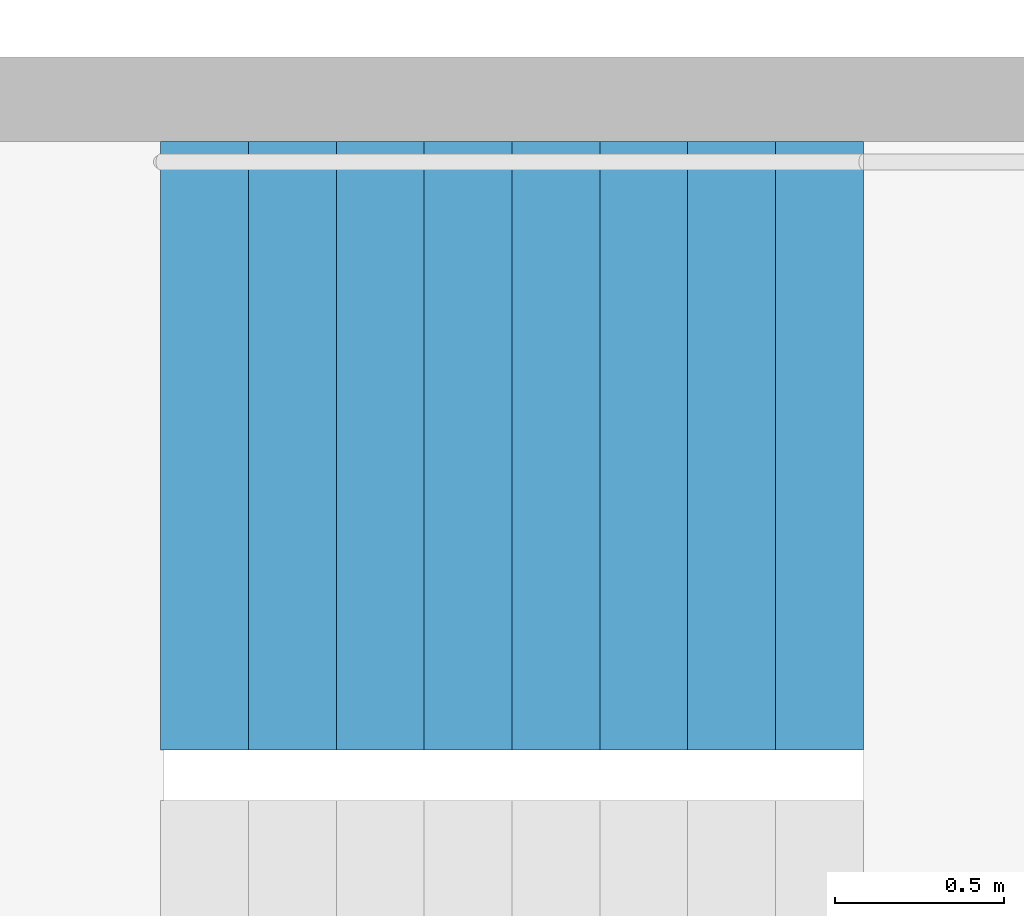
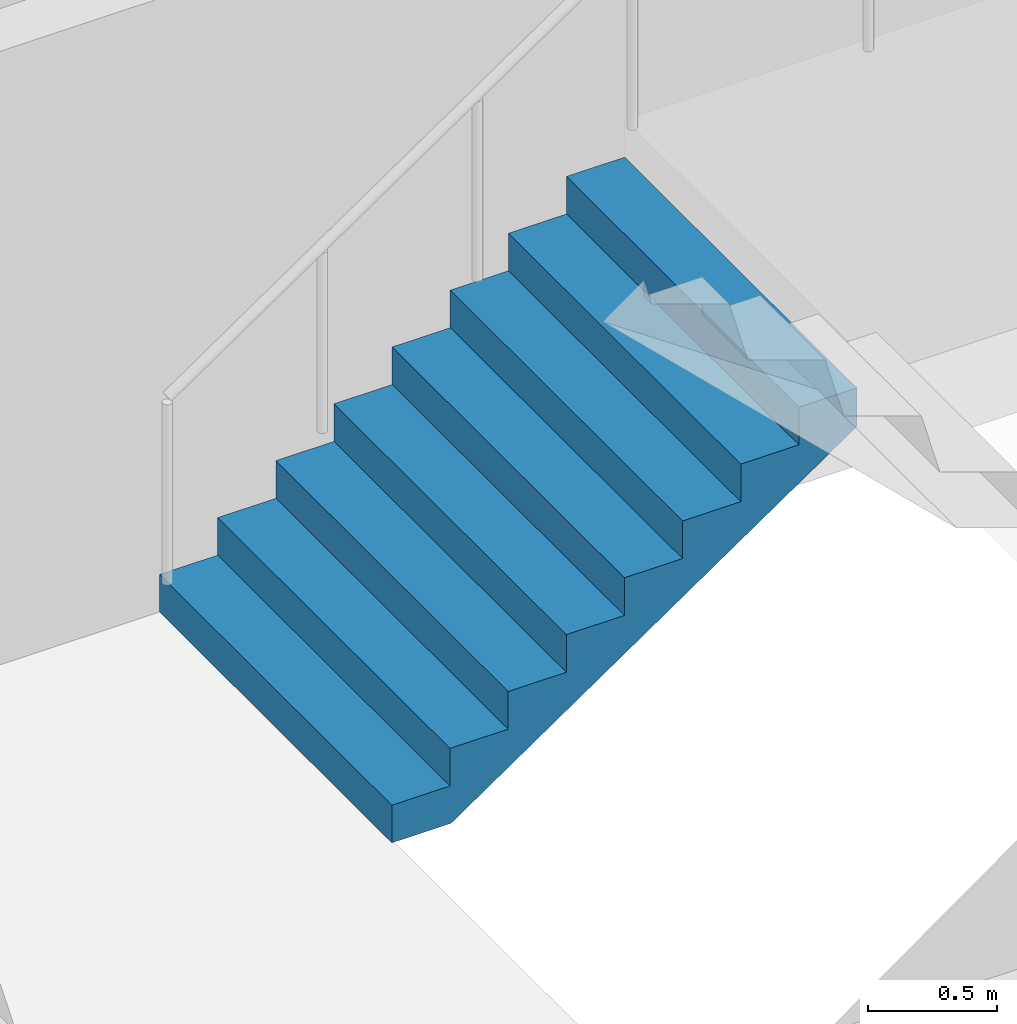
# One storey, part 26 of 29: 1 stair flight, 1 element without a shape of its own.
"""IFC4 building model written with IfcOpenShell, lengths in metres."""

from ifc_helpers import new_model, si_unit, direction, frame, origin, place, context, subcontext, project, spatial, triangles, material, type_object, element, aggregate, save


model = new_model("IFC4")

# Units and contexts
model_context = context("Model", 3, precision=1e-05, world=origin(), true_north=direction((0.0, 1.0)))
body_context = subcontext(model_context, "Body", "Model", "MODEL_VIEW")
ifc_project = project(units=[si_unit("LENGTHUNIT", "METRE"), si_unit("AREAUNIT", "SQUARE_METRE"), si_unit("VOLUMEUNIT", "CUBIC_METRE"), si_unit("PLANEANGLEUNIT", "RADIAN"), si_unit("MASSUNIT", "GRAM", prefix="KILO")], contexts=[model_context])

# Site, building, storey
site_placement = place(None, origin())
site = spatial("IfcSite", under=ifc_project, at=site_placement, CompositionType="ELEMENT")
building_placement = place(site_placement, origin())
building = spatial("IfcBuilding", under=site, at=building_placement, Name="Hakoniwa Tower and Hamabe Station Hall", CompositionType="ELEMENT")
storey_placement = place(building_placement, frame((0.0, 0.0, 61.39990234375)))
storey = spatial("IfcBuildingStorey", under=building, at=storey_placement, Name="L17", CompositionType="ELEMENT", Elevation=61.39990234375)

# Stair, stair flight
ifc_material_1 = material(Name="Concrete C40", Category="concrete")
stair_type = type_object("IfcStairType", Name="ESCAPE STAIR 1800", PredefinedType="HALF_TURN_STAIR", material=ifc_material_1)
stair_placement = place(storey_placement, origin())
stair = element("IfcStair", 1, at=stair_placement, inside=storey, type_object=stair_type, Name="Escape stair ST-4 L17", PredefinedType="HALF_TURN_STAIR")
ifc_material_2 = material(Name="Concrete C40", Category="concrete")
stair_flight_type = type_object("IfcStairFlightType", Name="STAIR FLIGHT 1800", PredefinedType="STRAIGHT", material=ifc_material_2)
stair_flight_placement = place(storey_placement, frame((23.39990234375, -4.64990234375, 0.0), z_axis=(0.0, 0.0, 1.0), x_axis=(1.0, 0.0, 0.0)))
stair_flight = element("IfcStairFlight", 2, at=stair_flight_placement, type_object=stair_flight_type, Name="ST-4 flight 1", NumberOfRisers=9, NumberOfTreads=8, PredefinedType="STRAIGHT", RiserHeight=0.177777778, TreadLength=0.26, context=body_context, shape_type="Tessellation", body=[
    triangles([(0.0, 0.89990234375, 0.0), (0.260009765625, 0.89990234375, 0.0), (0.265625, 0.89990234375, 0.0), (0.52001953125, 0.89990234375, 0.174072265625), (0.780029296875, 0.89990234375, 0.351806640625), (1.0400390625, 0.89990234375, 0.529541015625), (1.300048828125, 0.89990234375, 0.707275390625), (1.56005859375, 0.89990234375, 0.885009765625), (1.820068359375, 0.89990234375, 1.062744140625), (2.080078125, 0.89990234375, 1.24072265625), (2.080078125, 0.89990234375, 1.422119140625), (1.820068359375, 0.89990234375, 1.422119140625), (1.820068359375, 0.89990234375, 1.244384765625), (1.56005859375, 0.89990234375, 1.244384765625), (1.56005859375, 0.89990234375, 1.066650390625), (1.300048828125, 0.89990234375, 1.066650390625), (1.300048828125, 0.89990234375, 0.888916015625), (1.0400390625, 0.89990234375, 0.888916015625), (1.0400390625, 0.89990234375, 0.711181640625), (0.780029296875, 0.89990234375, 0.711181640625), (0.780029296875, 0.89990234375, 0.533447265625), (0.52001953125, 0.89990234375, 0.533447265625), (0.52001953125, 0.89990234375, 0.35546875), (0.265625, 0.89990234375, 0.35546875), (0.260009765625, 0.89990234375, 0.35546875), (0.260009765625, 0.89990234375, 0.177734375), (0.0, 0.89990234375, 0.177734375), (0.0, 0.06005859375, 0.0), (0.260009765625, 0.06005859375, 0.0), (0.265625, 0.06005859375, 0.0), (0.52001953125, 0.06005859375, 0.174072265625), (0.780029296875, 0.06005859375, 0.351806640625), (1.0400390625, 0.06005859375, 0.529541015625), (1.300048828125, 0.06005859375, 0.707275390625), (1.56005859375, 0.06005859375, 0.885009765625), (1.820068359375, 0.06005859375, 1.062744140625), (2.080078125, 0.06005859375, 1.24072265625), (2.080078125, 0.06005859375, 1.422119140625), (1.820068359375, 0.06005859375, 1.422119140625), (1.820068359375, 0.06005859375, 1.244384765625), (1.56005859375, 0.06005859375, 1.244384765625), (1.56005859375, 0.06005859375, 1.066650390625), (1.300048828125, 0.06005859375, 1.066650390625), (1.300048828125, 0.06005859375, 0.888916015625), (1.0400390625, 0.06005859375, 0.888916015625), (1.0400390625, 0.06005859375, 0.711181640625), (0.780029296875, 0.06005859375, 0.711181640625), (0.780029296875, 0.06005859375, 0.533447265625), (0.52001953125, 0.06005859375, 0.533447265625), (0.52001953125, 0.06005859375, 0.35546875), (0.265625, 0.06005859375, 0.35546875), (0.260009765625, 0.06005859375, 0.35546875), (0.260009765625, 0.06005859375, 0.177734375), (0.0, 0.06005859375, 0.177734375), (0.0, 0.04296875, 0.0), (0.260009765625, 0.04296875, 0.0), (0.265625, 0.04296875, 0.0), (0.52001953125, 0.04296875, 0.174072265625), (0.780029296875, 0.04296875, 0.351806640625), (1.0400390625, 0.04296875, 0.529541015625), (1.300048828125, 0.04296875, 0.707275390625), (1.56005859375, 0.04296875, 0.885009765625), (1.820068359375, 0.04296875, 1.062744140625), (2.080078125, 0.04296875, 1.24072265625), (2.080078125, 0.04296875, 1.422119140625), (1.820068359375, 0.04296875, 1.422119140625), (1.820068359375, 0.04296875, 1.244384765625), (1.56005859375, 0.04296875, 1.244384765625), (1.56005859375, 0.04296875, 1.066650390625), (1.300048828125, 0.04296875, 1.066650390625), (1.300048828125, 0.04296875, 0.888916015625), (1.0400390625, 0.04296875, 0.888916015625), (1.0400390625, 0.04296875, 0.711181640625), (0.780029296875, 0.04296875, 0.711181640625), (0.780029296875, 0.04296875, 0.533447265625), (0.52001953125, 0.04296875, 0.533447265625), (0.52001953125, 0.04296875, 0.35546875), (0.265625, 0.04296875, 0.35546875), (0.260009765625, 0.04296875, 0.35546875), (0.260009765625, 0.04296875, 0.177734375), (0.0, 0.04296875, 0.177734375), (0.0, 0.025634765625, 0.0), (0.260009765625, 0.025634765625, 0.0), (0.265625, 0.025634765625, 0.0), (0.52001953125, 0.025634765625, 0.174072265625), (0.780029296875, 0.025634765625, 0.351806640625), (1.0400390625, 0.025634765625, 0.529541015625), (1.300048828125, 0.025634765625, 0.707275390625), (1.56005859375, 0.025634765625, 0.885009765625), (1.820068359375, 0.025634765625, 1.062744140625), (2.080078125, 0.025634765625, 1.24072265625), (2.080078125, 0.025634765625, 1.422119140625), (1.820068359375, 0.025634765625, 1.422119140625), (1.820068359375, 0.025634765625, 1.244384765625), (1.56005859375, 0.025634765625, 1.244384765625), (1.56005859375, 0.025634765625, 1.066650390625), (1.300048828125, 0.025634765625, 1.066650390625), (1.300048828125, 0.025634765625, 0.888916015625), (1.0400390625, 0.025634765625, 0.888916015625), (1.0400390625, 0.025634765625, 0.711181640625), (0.780029296875, 0.025634765625, 0.711181640625), (0.780029296875, 0.025634765625, 0.533447265625), (0.52001953125, 0.025634765625, 0.533447265625), (0.52001953125, 0.025634765625, 0.35546875), (0.265625, 0.025634765625, 0.35546875), (0.260009765625, 0.025634765625, 0.35546875), (0.260009765625, 0.025634765625, 0.177734375), (0.0, 0.025634765625, 0.177734375), (0.0, 0.008544921875, 0.0), (0.260009765625, 0.008544921875, 0.0), (0.265625, 0.008544921875, 0.0), (0.52001953125, 0.008544921875, 0.174072265625), (0.780029296875, 0.008544921875, 0.351806640625), (1.0400390625, 0.008544921875, 0.529541015625), (1.300048828125, 0.008544921875, 0.707275390625), (1.56005859375, 0.008544921875, 0.885009765625), (1.820068359375, 0.008544921875, 1.062744140625), (2.080078125, 0.008544921875, 1.24072265625), (2.080078125, 0.008544921875, 1.422119140625), (1.820068359375, 0.008544921875, 1.422119140625), (1.820068359375, 0.008544921875, 1.244384765625), (1.56005859375, 0.008544921875, 1.244384765625), (1.56005859375, 0.008544921875, 1.066650390625), (1.300048828125, 0.008544921875, 1.066650390625), (1.300048828125, 0.008544921875, 0.888916015625), (1.0400390625, 0.008544921875, 0.888916015625), (1.0400390625, 0.008544921875, 0.711181640625), (0.780029296875, 0.008544921875, 0.711181640625), (0.780029296875, 0.008544921875, 0.533447265625), (0.52001953125, 0.008544921875, 0.533447265625), (0.52001953125, 0.008544921875, 0.35546875), (0.265625, 0.008544921875, 0.35546875), (0.260009765625, 0.008544921875, 0.35546875), (0.260009765625, 0.008544921875, 0.177734375), (0.0, 0.008544921875, 0.177734375), (0.0, -0.008544921875, 0.0), (0.260009765625, -0.008544921875, 0.0), (0.265625, -0.008544921875, 0.0), (0.52001953125, -0.008544921875, 0.174072265625), (0.780029296875, -0.008544921875, 0.351806640625), (1.0400390625, -0.008544921875, 0.529541015625), (1.300048828125, -0.008544921875, 0.707275390625), (1.56005859375, -0.008544921875, 0.885009765625), (1.820068359375, -0.008544921875, 1.062744140625), (2.080078125, -0.008544921875, 1.24072265625), (2.080078125, -0.008544921875, 1.422119140625), (1.820068359375, -0.008544921875, 1.422119140625), (1.820068359375, -0.008544921875, 1.244384765625), (1.56005859375, -0.008544921875, 1.244384765625), (1.56005859375, -0.008544921875, 1.066650390625), (1.300048828125, -0.008544921875, 1.066650390625), (1.300048828125, -0.008544921875, 0.888916015625), (1.0400390625, -0.008544921875, 0.888916015625), (1.0400390625, -0.008544921875, 0.711181640625), (0.780029296875, -0.008544921875, 0.711181640625), (0.780029296875, -0.008544921875, 0.533447265625), (0.52001953125, -0.008544921875, 0.533447265625), (0.52001953125, -0.008544921875, 0.35546875), (0.265625, -0.008544921875, 0.35546875), (0.260009765625, -0.008544921875, 0.35546875), (0.260009765625, -0.008544921875, 0.177734375), (0.0, -0.008544921875, 0.177734375), (0.0, -0.025634765625, 0.0), (0.260009765625, -0.025634765625, 0.0), (0.265625, -0.025634765625, 0.0), (0.52001953125, -0.025634765625, 0.174072265625), (0.780029296875, -0.025634765625, 0.351806640625), (1.0400390625, -0.025634765625, 0.529541015625), (1.300048828125, -0.025634765625, 0.707275390625), (1.56005859375, -0.025634765625, 0.885009765625), (1.820068359375, -0.025634765625, 1.062744140625), (2.080078125, -0.025634765625, 1.24072265625), (2.080078125, -0.025634765625, 1.422119140625), (1.820068359375, -0.025634765625, 1.422119140625), (1.820068359375, -0.025634765625, 1.244384765625), (1.56005859375, -0.025634765625, 1.244384765625), (1.56005859375, -0.025634765625, 1.066650390625), (1.300048828125, -0.025634765625, 1.066650390625), (1.300048828125, -0.025634765625, 0.888916015625), (1.0400390625, -0.025634765625, 0.888916015625), (1.0400390625, -0.025634765625, 0.711181640625), (0.780029296875, -0.025634765625, 0.711181640625), (0.780029296875, -0.025634765625, 0.533447265625), (0.52001953125, -0.025634765625, 0.533447265625), (0.52001953125, -0.025634765625, 0.35546875), (0.265625, -0.025634765625, 0.35546875), (0.260009765625, -0.025634765625, 0.35546875), (0.260009765625, -0.025634765625, 0.177734375), (0.0, -0.025634765625, 0.177734375), (0.0, -0.04296875, 0.0), (0.260009765625, -0.04296875, 0.0), (0.265625, -0.04296875, 0.0), (0.52001953125, -0.04296875, 0.174072265625), (0.780029296875, -0.04296875, 0.351806640625), (1.0400390625, -0.04296875, 0.529541015625), (1.300048828125, -0.04296875, 0.707275390625), (1.56005859375, -0.04296875, 0.885009765625), (1.820068359375, -0.04296875, 1.062744140625), (2.080078125, -0.04296875, 1.24072265625), (2.080078125, -0.04296875, 1.422119140625), (1.820068359375, -0.04296875, 1.422119140625), (1.820068359375, -0.04296875, 1.244384765625), (1.56005859375, -0.04296875, 1.244384765625), (1.56005859375, -0.04296875, 1.066650390625), (1.300048828125, -0.04296875, 1.066650390625), (1.300048828125, -0.04296875, 0.888916015625), (1.0400390625, -0.04296875, 0.888916015625), (1.0400390625, -0.04296875, 0.711181640625), (0.780029296875, -0.04296875, 0.711181640625), (0.780029296875, -0.04296875, 0.533447265625), (0.52001953125, -0.04296875, 0.533447265625), (0.52001953125, -0.04296875, 0.35546875), (0.265625, -0.04296875, 0.35546875), (0.260009765625, -0.04296875, 0.35546875), (0.260009765625, -0.04296875, 0.177734375), (0.0, -0.04296875, 0.177734375), (0.0, -0.06005859375, 0.0), (0.260009765625, -0.06005859375, 0.0), (0.265625, -0.06005859375, 0.0), (0.52001953125, -0.06005859375, 0.174072265625), (0.780029296875, -0.06005859375, 0.351806640625), (1.0400390625, -0.06005859375, 0.529541015625), (1.300048828125, -0.06005859375, 0.707275390625), (1.56005859375, -0.06005859375, 0.885009765625), (1.820068359375, -0.06005859375, 1.062744140625), (2.080078125, -0.06005859375, 1.24072265625), (2.080078125, -0.06005859375, 1.422119140625), (1.820068359375, -0.06005859375, 1.422119140625), (1.820068359375, -0.06005859375, 1.244384765625), (1.56005859375, -0.06005859375, 1.244384765625), (1.56005859375, -0.06005859375, 1.066650390625), (1.300048828125, -0.06005859375, 1.066650390625), (1.300048828125, -0.06005859375, 0.888916015625), (1.0400390625, -0.06005859375, 0.888916015625), (1.0400390625, -0.06005859375, 0.711181640625), (0.780029296875, -0.06005859375, 0.711181640625), (0.780029296875, -0.06005859375, 0.533447265625), (0.52001953125, -0.06005859375, 0.533447265625), (0.52001953125, -0.06005859375, 0.35546875), (0.265625, -0.06005859375, 0.35546875), (0.260009765625, -0.06005859375, 0.35546875), (0.260009765625, -0.06005859375, 0.177734375), (0.0, -0.06005859375, 0.177734375), (0.0, -0.89990234375, 0.0), (0.260009765625, -0.89990234375, 0.0), (0.265625, -0.89990234375, 0.0), (0.52001953125, -0.89990234375, 0.174072265625), (0.780029296875, -0.89990234375, 0.351806640625), (1.0400390625, -0.89990234375, 0.529541015625), (1.300048828125, -0.89990234375, 0.707275390625), (1.56005859375, -0.89990234375, 0.885009765625), (1.820068359375, -0.89990234375, 1.062744140625), (2.080078125, -0.89990234375, 1.24072265625), (2.080078125, -0.89990234375, 1.422119140625), (1.820068359375, -0.89990234375, 1.422119140625), (1.820068359375, -0.89990234375, 1.244384765625), (1.56005859375, -0.89990234375, 1.244384765625), (1.56005859375, -0.89990234375, 1.066650390625), (1.300048828125, -0.89990234375, 1.066650390625), (1.300048828125, -0.89990234375, 0.888916015625), (1.0400390625, -0.89990234375, 0.888916015625), (1.0400390625, -0.89990234375, 0.711181640625), (0.780029296875, -0.89990234375, 0.711181640625), (0.780029296875, -0.89990234375, 0.533447265625), (0.52001953125, -0.89990234375, 0.533447265625), (0.52001953125, -0.89990234375, 0.35546875), (0.265625, -0.89990234375, 0.35546875), (0.260009765625, -0.89990234375, 0.35546875), (0.260009765625, -0.89990234375, 0.177734375), (0.0, -0.89990234375, 0.177734375)], [[2, 27, 26], [245, 269, 270], [2, 1, 27], [245, 270, 244], [3, 25, 24], [246, 267, 268], [3, 26, 25], [246, 268, 269], [3, 2, 26], [246, 269, 245], [4, 24, 23], [247, 266, 267], [4, 3, 24], [247, 267, 246], [5, 22, 21], [248, 264, 265], [5, 23, 22], [248, 265, 266], [5, 4, 23], [248, 266, 247], [6, 20, 19], [249, 262, 263], [6, 21, 20], [249, 263, 264], [6, 5, 21], [249, 264, 248], [7, 18, 17], [250, 260, 261], [7, 19, 18], [250, 261, 262], [7, 6, 19], [250, 262, 249], [8, 16, 15], [251, 258, 259], [8, 17, 16], [251, 259, 260], [8, 7, 17], [251, 260, 250], [9, 14, 13], [252, 256, 257], [9, 15, 14], [252, 257, 258], [9, 8, 15], [252, 258, 251], [10, 12, 11], [253, 254, 255], [10, 13, 12], [253, 255, 256], [10, 9, 13], [253, 256, 252], [1, 2, 29], [1, 29, 28], [28, 29, 56], [28, 56, 55], [55, 56, 83], [55, 83, 82], [82, 83, 110], [82, 110, 109], [109, 110, 137], [109, 137, 136], [136, 137, 164], [136, 164, 163], [163, 164, 191], [163, 191, 190], [190, 191, 218], [190, 218, 217], [217, 218, 245], [217, 245, 244], [2, 3, 30], [2, 30, 29], [29, 30, 57], [29, 57, 56], [56, 57, 84], [56, 84, 83], [83, 84, 111], [83, 111, 110], [110, 111, 138], [110, 138, 137], [137, 138, 165], [137, 165, 164], [164, 165, 192], [164, 192, 191], [191, 192, 219], [191, 219, 218], [218, 219, 246], [218, 246, 245], [3, 4, 31], [3, 31, 30], [30, 31, 58], [30, 58, 57], [57, 58, 85], [57, 85, 84], [84, 85, 112], [84, 112, 111], [111, 112, 139], [111, 139, 138], [138, 139, 166], [138, 166, 165], [165, 166, 193], [165, 193, 192], [192, 193, 220], [192, 220, 219], [219, 220, 247], [219, 247, 246], [4, 5, 32], [4, 32, 31], [31, 32, 59], [31, 59, 58], [58, 59, 86], [58, 86, 85], [85, 86, 113], [85, 113, 112], [112, 113, 140], [112, 140, 139], [139, 140, 167], [139, 167, 166], [166, 167, 194], [166, 194, 193], [193, 194, 221], [193, 221, 220], [220, 221, 248], [220, 248, 247], [5, 6, 33], [5, 33, 32], [32, 33, 60], [32, 60, 59], [59, 60, 87], [59, 87, 86], [86, 87, 114], [86, 114, 113], [113, 114, 141], [113, 141, 140], [140, 141, 168], [140, 168, 167], [167, 168, 195], [167, 195, 194], [194, 195, 222], [194, 222, 221], [221, 222, 249], [221, 249, 248], [6, 7, 34], [6, 34, 33], [33, 34, 61], [33, 61, 60], [60, 61, 88], [60, 88, 87], [87, 88, 115], [87, 115, 114], [114, 115, 142], [114, 142, 141], [141, 142, 169], [141, 169, 168], [168, 169, 196], [168, 196, 195], [195, 196, 223], [195, 223, 222], [222, 223, 250], [222, 250, 249], [7, 8, 35], [7, 35, 34], [34, 35, 62], [34, 62, 61], [61, 62, 89], [61, 89, 88], [88, 89, 116], [88, 116, 115], [115, 116, 143], [115, 143, 142], [142, 143, 170], [142, 170, 169], [169, 170, 197], [169, 197, 196], [196, 197, 224], [196, 224, 223], [223, 224, 251], [223, 251, 250], [8, 9, 36], [8, 36, 35], [35, 36, 63], [35, 63, 62], [62, 63, 90], [62, 90, 89], [89, 90, 117], [89, 117, 116], [116, 117, 144], [116, 144, 143], [143, 144, 171], [143, 171, 170], [170, 171, 198], [170, 198, 197], [197, 198, 225], [197, 225, 224], [224, 225, 252], [224, 252, 251], [9, 10, 37], [9, 37, 36], [36, 37, 64], [36, 64, 63], [63, 64, 91], [63, 91, 90], [90, 91, 118], [90, 118, 117], [117, 118, 145], [117, 145, 144], [144, 145, 172], [144, 172, 171], [171, 172, 199], [171, 199, 198], [198, 199, 226], [198, 226, 225], [225, 226, 253], [225, 253, 252], [10, 11, 38], [10, 38, 37], [37, 38, 65], [37, 65, 64], [64, 65, 92], [64, 92, 91], [91, 92, 119], [91, 119, 118], [118, 119, 146], [118, 146, 145], [145, 146, 173], [145, 173, 172], [172, 173, 200], [172, 200, 199], [199, 200, 227], [199, 227, 226], [226, 227, 254], [226, 254, 253], [11, 12, 39], [11, 39, 38], [38, 39, 66], [38, 66, 65], [65, 66, 93], [65, 93, 92], [92, 93, 120], [92, 120, 119], [119, 120, 147], [119, 147, 146], [146, 147, 174], [146, 174, 173], [173, 174, 201], [173, 201, 200], [200, 201, 228], [200, 228, 227], [227, 228, 255], [227, 255, 254], [12, 13, 40], [12, 40, 39], [39, 40, 67], [39, 67, 66], [66, 67, 94], [66, 94, 93], [93, 94, 121], [93, 121, 120], [120, 121, 148], [120, 148, 147], [147, 148, 175], [147, 175, 174], [174, 175, 202], [174, 202, 201], [201, 202, 229], [201, 229, 228], [228, 229, 256], [228, 256, 255], [13, 14, 41], [13, 41, 40], [40, 41, 68], [40, 68, 67], [67, 68, 95], [67, 95, 94], [94, 95, 122], [94, 122, 121], [121, 122, 149], [121, 149, 148], [148, 149, 176], [148, 176, 175], [175, 176, 203], [175, 203, 202], [202, 203, 230], [202, 230, 229], [229, 230, 257], [229, 257, 256], [14, 15, 42], [14, 42, 41], [41, 42, 69], [41, 69, 68], [68, 69, 96], [68, 96, 95], [95, 96, 123], [95, 123, 122], [122, 123, 150], [122, 150, 149], [149, 150, 177], [149, 177, 176], [176, 177, 204], [176, 204, 203], [203, 204, 231], [203, 231, 230], [230, 231, 258], [230, 258, 257], [15, 16, 43], [15, 43, 42], [42, 43, 70], [42, 70, 69], [69, 70, 97], [69, 97, 96], [96, 97, 124], [96, 124, 123], [123, 124, 151], [123, 151, 150], [150, 151, 178], [150, 178, 177], [177, 178, 205], [177, 205, 204], [204, 205, 232], [204, 232, 231], [231, 232, 259], [231, 259, 258], [16, 17, 44], [16, 44, 43], [43, 44, 71], [43, 71, 70], [70, 71, 98], [70, 98, 97], [97, 98, 125], [97, 125, 124], [124, 125, 152], [124, 152, 151], [151, 152, 179], [151, 179, 178], [178, 179, 206], [178, 206, 205], [205, 206, 233], [205, 233, 232], [232, 233, 260], [232, 260, 259], [17, 18, 45], [17, 45, 44], [44, 45, 72], [44, 72, 71], [71, 72, 99], [71, 99, 98], [98, 99, 126], [98, 126, 125], [125, 126, 153], [125, 153, 152], [152, 153, 180], [152, 180, 179], [179, 180, 207], [179, 207, 206], [206, 207, 234], [206, 234, 233], [233, 234, 261], [233, 261, 260], [18, 19, 46], [18, 46, 45], [45, 46, 73], [45, 73, 72], [72, 73, 100], [72, 100, 99], [99, 100, 127], [99, 127, 126], [126, 127, 154], [126, 154, 153], [153, 154, 181], [153, 181, 180], [180, 181, 208], [180, 208, 207], [207, 208, 235], [207, 235, 234], [234, 235, 262], [234, 262, 261], [19, 20, 47], [19, 47, 46], [46, 47, 74], [46, 74, 73], [73, 74, 101], [73, 101, 100], [100, 101, 128], [100, 128, 127], [127, 128, 155], [127, 155, 154], [154, 155, 182], [154, 182, 181], [181, 182, 209], [181, 209, 208], [208, 209, 236], [208, 236, 235], [235, 236, 263], [235, 263, 262], [20, 21, 48], [20, 48, 47], [47, 48, 75], [47, 75, 74], [74, 75, 102], [74, 102, 101], [101, 102, 129], [101, 129, 128], [128, 129, 156], [128, 156, 155], [155, 156, 183], [155, 183, 182], [182, 183, 210], [182, 210, 209], [209, 210, 237], [209, 237, 236], [236, 237, 264], [236, 264, 263], [21, 22, 49], [21, 49, 48], [48, 49, 76], [48, 76, 75], [75, 76, 103], [75, 103, 102], [102, 103, 130], [102, 130, 129], [129, 130, 157], [129, 157, 156], [156, 157, 184], [156, 184, 183], [183, 184, 211], [183, 211, 210], [210, 211, 238], [210, 238, 237], [237, 238, 265], [237, 265, 264], [22, 23, 50], [22, 50, 49], [49, 50, 77], [49, 77, 76], [76, 77, 104], [76, 104, 103], [103, 104, 131], [103, 131, 130], [130, 131, 158], [130, 158, 157], [157, 158, 185], [157, 185, 184], [184, 185, 212], [184, 212, 211], [211, 212, 239], [211, 239, 238], [238, 239, 266], [238, 266, 265], [23, 24, 51], [23, 51, 50], [50, 51, 78], [50, 78, 77], [77, 78, 105], [77, 105, 104], [104, 105, 132], [104, 132, 131], [131, 132, 159], [131, 159, 158], [158, 159, 186], [158, 186, 185], [185, 186, 213], [185, 213, 212], [212, 213, 240], [212, 240, 239], [239, 240, 267], [239, 267, 266], [24, 25, 52], [24, 52, 51], [51, 52, 79], [51, 79, 78], [78, 79, 106], [78, 106, 105], [105, 106, 133], [105, 133, 132], [132, 133, 160], [132, 160, 159], [159, 160, 187], [159, 187, 186], [186, 187, 214], [186, 214, 213], [213, 214, 241], [213, 241, 240], [240, 241, 268], [240, 268, 267], [25, 26, 53], [25, 53, 52], [52, 53, 80], [52, 80, 79], [79, 80, 107], [79, 107, 106], [106, 107, 134], [106, 134, 133], [133, 134, 161], [133, 161, 160], [160, 161, 188], [160, 188, 187], [187, 188, 215], [187, 215, 214], [214, 215, 242], [214, 242, 241], [241, 242, 269], [241, 269, 268], [26, 27, 54], [26, 54, 53], [53, 54, 81], [53, 81, 80], [80, 81, 108], [80, 108, 107], [107, 108, 135], [107, 135, 134], [134, 135, 162], [134, 162, 161], [161, 162, 189], [161, 189, 188], [188, 189, 216], [188, 216, 215], [215, 216, 243], [215, 243, 242], [242, 243, 270], [242, 270, 269], [27, 1, 28], [27, 28, 54], [54, 28, 55], [54, 55, 81], [81, 55, 82], [81, 82, 108], [108, 82, 109], [108, 109, 135], [135, 109, 136], [135, 136, 162], [162, 136, 163], [162, 163, 189], [189, 163, 190], [189, 190, 216], [216, 190, 217], [216, 217, 243], [243, 217, 244], [243, 244, 270]], closed=True),
])
aggregate(stair, [stair_flight])

save(model, "model.ifc")
